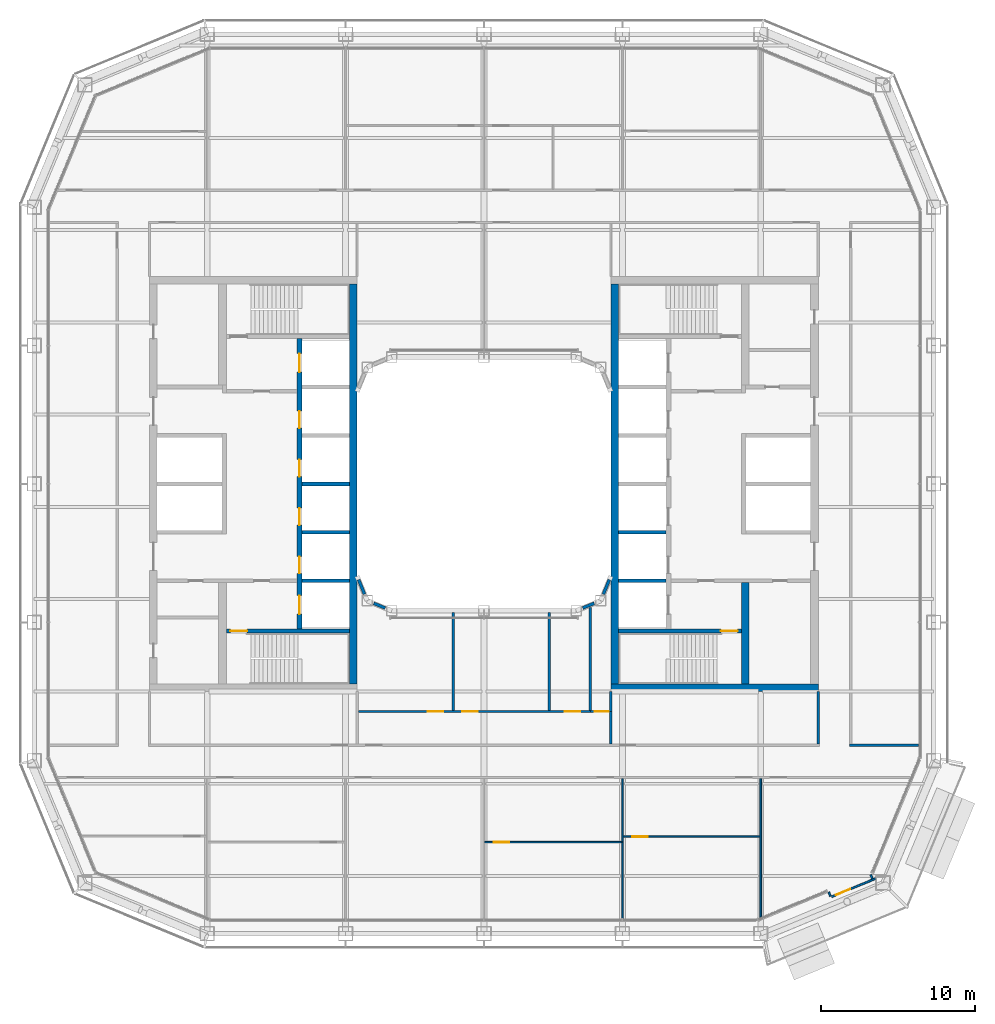
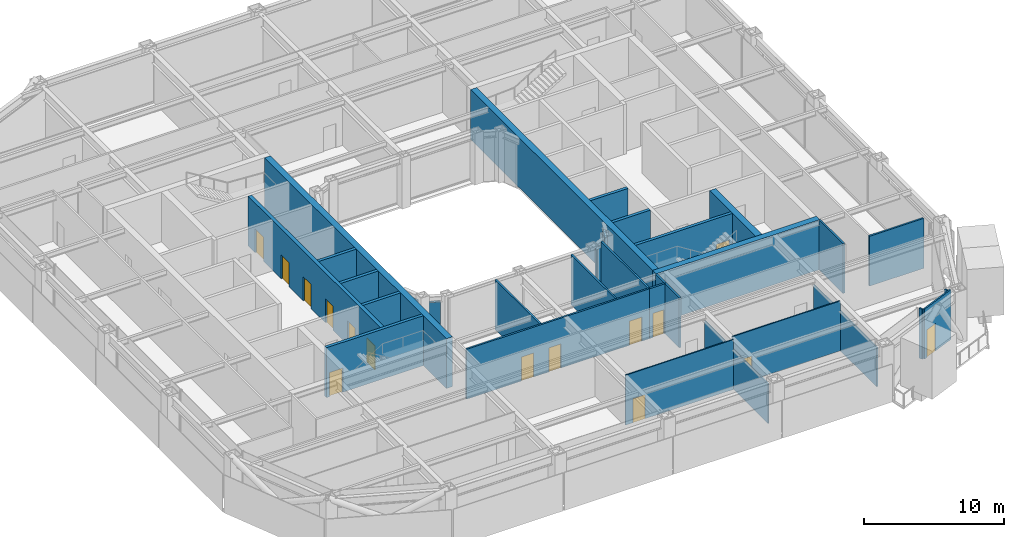
# One storey, part 12 of 23: 32 walls, 15 doors, 15 openings.
"""IFC4 building model written with IfcOpenShell, lengths in metres."""

from ifc_helpers import new_model, si_unit, direction, frame, frame_2d, origin, place, context, subcontext, project, spatial, rectangle, extrude, material, layer, layer_set, type_object, element, fill, save


model = new_model("IFC4")

# Units and contexts
model_context = context("Model", 3, precision=1e-05, world=origin(), true_north=direction((0.0, 1.0)))
body_context = subcontext(model_context, "Body", "Model", "MODEL_VIEW")
ifc_project = project(units=[si_unit("LENGTHUNIT", "METRE"), si_unit("AREAUNIT", "SQUARE_METRE"), si_unit("VOLUMEUNIT", "CUBIC_METRE"), si_unit("PLANEANGLEUNIT", "RADIAN"), si_unit("MASSUNIT", "GRAM", prefix="KILO")], contexts=[model_context])

# Site, building, storey
site_placement = place(None, origin())
site = spatial("IfcSite", under=ifc_project, at=site_placement, CompositionType="ELEMENT")
building_placement = place(site_placement, origin())
building = spatial("IfcBuilding", under=site, at=building_placement, Name="Siwar Civic Tower", CompositionType="ELEMENT")
storey_placement = place(building_placement, frame((0.0, 0.0, 109.199951171875)))
storey = spatial("IfcBuildingStorey", under=building, at=storey_placement, Name="L23", CompositionType="ELEMENT", Elevation=109.199951171875)

# Wall, opening, door
ifc_material_1 = material(Name="Gypsum board on steel studs", Category="steel")
ifc_layer_1 = layer(ifc_material_1, 0.14990234375)
ifc_layer_set_1 = layer_set([ifc_layer_1], Name="Gypsum board on steel studs")
wall_type_1 = type_object("IfcWallType", Name="COMPARTMENT PARTITION 150 EI 60", PredefinedType="PARTITIONING", material=ifc_layer_set_1)
wall_1_placement = place(storey_placement, frame((6.919921875, -14.800048828125, 0.0), z_axis=(0.0, 0.0, 1.0), x_axis=(1.0, 0.0, 0.0)))
wall_1 = element("IfcWall", 1, at=wall_1_placement, inside=storey, type_object=wall_type_1, Name="L23/wall/P10", PredefinedType="PARTITIONING", context=body_context, shape_type="SweptSolid", body=[
    extrude(rectangle(XDim=1.255126953125, YDim=0.14990234375, at=frame_2d((0.62744140625, 0.0))), origin(), (0.0, 0.0, 1.0), 4.35009765625),
])
opening_1_placement = place(wall_1_placement, frame((0.280029296875, 0.0, 0.0)))
opening_1 = element("IfcOpeningElement", 2, at=opening_1_placement, cuts=wall_1, Name="Opening D4", PredefinedType="OPENING", context=body_context, shape_type="SweptSolid", body=[
    extrude(rectangle(XDim=0.89990234375, YDim=2.10009765625, at=frame_2d((0.449951171875, 1.050048828125))), frame((0.0, 0.0849609375, 0.0), z_axis=(0.0, -1.0, 0.0), x_axis=(1.0, 0.0, 0.0)), (0.0, 0.0, 1.0), 0.169921875),
])
ifc_material_2 = material(Name="Timber, painted", Category="wood")
door_type_1 = type_object("IfcDoorType", Name="DOOR 900 X 2100 FD60", OperationType="SINGLE_SWING_LEFT", PredefinedType="DOOR", material=ifc_material_2)
door_1_placement = place(opening_1_placement, origin())
door_1 = element("IfcDoor", 3, at=door_1_placement, inside=storey, type_object=door_type_1, Name="L23-D28", OperationType="SINGLE_SWING_RIGHT", OverallHeight=2.10009765625, OverallWidth=0.89990234375, PredefinedType="DOOR", context=body_context, shape_type="SweptSolid", body=[
    extrude(rectangle(XDim=0.89990234375, YDim=2.10009765625, at=frame_2d((0.449951171875, 1.050048828125))), frame((0.0, 0.02490234375, 0.0), z_axis=(0.0, -1.0, 0.0), x_axis=(1.0, 0.0, 0.0)), (0.0, 0.0, 1.0), 0.050048828125),
])
fill(opening_1, door_1)

# Walls
wall_2_placement = place(storey_placement, frame((6.919921875, -14.72509765625, 0.0), z_axis=(0.0, 0.0, 1.0), x_axis=(0.0, 1.0, 0.0)))
element("IfcWall", 4, at=wall_2_placement, inside=storey, type_object=wall_type_1, Name="L23/wall/P34", PredefinedType="PARTITIONING", context=body_context, shape_type="SweptSolid", body=[
    extrude(rectangle(XDim=6.7001953125, YDim=0.14990234375, at=frame_2d((3.35009765625, 0.0))), origin(), (0.0, 0.0, 1.0), 4.35009765625),
])
wall_3_placement = place(storey_placement, frame((8.25, -14.800048828125, 0.0), z_axis=(0.0, 0.0, 1.0), x_axis=(0.0, 1.0, 0.0)))
element("IfcWall", 5, at=wall_3_placement, inside=storey, type_object=wall_type_1, Name="L23/wall/P37", PredefinedType="PARTITIONING", context=body_context, shape_type="SweptSolid", body=[
    extrude(rectangle(XDim=1.300048828125, YDim=0.14990234375, at=frame_2d((0.64990234375, 0.0))), origin(), (0.0, 0.0, 1.0), 4.35009765625),
])
ifc_material_3 = material(Name="Concrete C60/75", Category="concrete")
ifc_layer_2 = layer(ifc_material_3, 0.25)
ifc_layer_set_2 = layer_set([ifc_layer_2], Name="Concrete C60/75")
wall_type_2 = type_object("IfcWallType", Name="CORE-WALL-RC250", PredefinedType="SHEAR", material=ifc_layer_set_2)
for number, where, z_axis, x_axis, name in (
    (6, (-8.75, 0.0, 0.0), (0.0, 0.0, 1.0), (-1.0, 0.0, 0.0), "Core wall W"),
    (7, (-8.75, -3.14990234375, 0.0), (0.0, 0.0, 1.0), (-1.0, 0.0, 0.0), "Core wall W"),
    (8, (-8.75, -6.300048828125, 0.0), (0.0, 0.0, 1.0), (-1.0, 0.0, 0.0), "Core wall W"),
):
    element("IfcWall", number, at=place(storey_placement, frame(where, z_axis=z_axis, x_axis=x_axis)), inside=storey, type_object=wall_type_2, Name=name, PredefinedType="SHEAR", context=body_context, shape_type="SweptSolid", body=[
        extrude(rectangle(XDim=3.10009765625, YDim=0.25, at=frame_2d((1.550048828125, 0.0))), origin(), (0.0, 0.0, 1.0), 4.35009765625),
    ])

# Wall, opening, door
wall_4_placement = place(storey_placement, frame((-8.75, -9.574951171875, 0.0), z_axis=(0.0, 0.0, 1.0), x_axis=(-1.0, 0.0, 0.0)))
wall_4 = element("IfcWall", 9, at=wall_4_placement, inside=storey, type_object=wall_type_2, Name="Core wall W", PredefinedType="SHEAR", context=body_context, shape_type="SweptSolid", body=[
    extrude(rectangle(XDim=8.0, YDim=0.25, at=frame_2d((4.0, 0.0))), origin(), (0.0, 0.0, 1.0), 4.35009765625),
])
opening_2_placement = place(wall_4_placement, frame((6.64990234375, 0.0, 0.0)))
opening_2 = element("IfcOpeningElement", 10, at=opening_2_placement, cuts=wall_4, Name="Opening L23-CW04", PredefinedType="OPENING", context=body_context, shape_type="SweptSolid", body=[
    extrude(rectangle(XDim=1.10009765625, YDim=2.10009765625, at=frame_2d((0.550048828125, 1.050048828125))), frame((0.0, 0.135009765625, 0.0), z_axis=(0.0, -1.0, 0.0), x_axis=(1.0, 0.0, 0.0)), (0.0, 0.0, 1.0), 0.27001953125),
])
ifc_material_4 = material(Name="Steel door leaf", Category="steel")
door_type_2 = type_object("IfcDoorType", Name="CORE-DOOR-FD60S", OperationType="SINGLE_SWING_LEFT", PredefinedType="DOOR", material=ifc_material_4)
door_2_placement = place(opening_2_placement, origin())
door_2 = element("IfcDoor", 11, at=door_2_placement, inside=storey, type_object=door_type_2, Name="Stair door L23-CW04", OperationType="SINGLE_SWING_LEFT", OverallHeight=2.10009765625, OverallWidth=1.10009765625, PredefinedType="DOOR", context=body_context, shape_type="SweptSolid", body=[
    extrude(rectangle(XDim=1.10009765625, YDim=2.10009765625, at=frame_2d((0.550048828125, 1.050048828125))), frame((0.0, 0.02490234375, 0.0), z_axis=(0.0, -1.0, 0.0), x_axis=(1.0, 0.0, 0.0)), (0.0, 0.0, 1.0), 0.050048828125),
])
fill(opening_2, door_2)

# Walls
for number, where, z_axis, x_axis, name in (
    (12, (8.75, -3.14990234375, 0.0), (0.0, 0.0, 1.0), (1.0, 0.0, 0.0), "Core wall E"),
    (13, (8.75, -6.300048828125, 0.0), (0.0, 0.0, 1.0), (1.0, 0.0, 0.0), "Core wall E"),
):
    element("IfcWall", number, at=place(storey_placement, frame(where, z_axis=z_axis, x_axis=x_axis)), inside=storey, type_object=wall_type_2, Name=name, PredefinedType="SHEAR", context=body_context, shape_type="SweptSolid", body=[
        extrude(rectangle(XDim=3.10009765625, YDim=0.25, at=frame_2d((1.550048828125, 0.0))), origin(), (0.0, 0.0, 1.0), 4.35009765625),
    ])

# Wall, opening, door
wall_5_placement = place(storey_placement, frame((8.75, -9.574951171875, 0.0), z_axis=(0.0, 0.0, 1.0), x_axis=(1.0, 0.0, 0.0)))
wall_5 = element("IfcWall", 14, at=wall_5_placement, inside=storey, type_object=wall_type_2, Name="Core wall E", PredefinedType="SHEAR", context=body_context, shape_type="SweptSolid", body=[
    extrude(rectangle(XDim=8.0, YDim=0.25, at=frame_2d((4.0, 0.0))), origin(), (0.0, 0.0, 1.0), 4.35009765625),
])
opening_3_placement = place(wall_5_placement, frame((6.64990234375, 0.0, 0.0)))
opening_3 = element("IfcOpeningElement", 15, at=opening_3_placement, cuts=wall_5, Name="Opening L23-CE04", PredefinedType="OPENING", context=body_context, shape_type="SweptSolid", body=[
    extrude(rectangle(XDim=1.10009765625, YDim=2.10009765625, at=frame_2d((0.550048828125, 1.050048828125))), frame((0.0, 0.135009765625, 0.0), z_axis=(0.0, -1.0, 0.0), x_axis=(1.0, 0.0, 0.0)), (0.0, 0.0, 1.0), 0.27001953125),
])
door_3_placement = place(opening_3_placement, origin())
door_3 = element("IfcDoor", 16, at=door_3_placement, inside=storey, type_object=door_type_2, Name="Stair door L23-CE04", OperationType="SINGLE_SWING_RIGHT", OverallHeight=2.10009765625, OverallWidth=1.10009765625, PredefinedType="DOOR", context=body_context, shape_type="SweptSolid", body=[
    extrude(rectangle(XDim=1.10009765625, YDim=2.10009765625, at=frame_2d((0.550048828125, 1.050048828125))), frame((0.0, 0.02490234375, 0.0), z_axis=(0.0, -1.0, 0.0), x_axis=(1.0, 0.0, 0.0)), (0.0, 0.0, 1.0), 0.050048828125),
])
fill(opening_3, door_3)

# Wall, openings, doors
ifc_material_5 = material(Name="Concrete C60/75", Category="concrete")
ifc_layer_3 = layer(ifc_material_5, 0.300048828125)
ifc_layer_set_3 = layer_set([ifc_layer_3], Name="Concrete C60/75")
wall_type_3 = type_object("IfcWallType", Name="CORE-WALL-RC300", PredefinedType="SHEAR", material=ifc_layer_set_3)
wall_6_placement = place(storey_placement, frame((-12.0, -9.449951171875, 0.0), z_axis=(0.0, 0.0, 1.0), x_axis=(0.0, 1.0, 0.0)))
wall_6 = element("IfcWall", 17, at=wall_6_placement, inside=storey, type_object=wall_type_3, Name="Core wall W", PredefinedType="SHEAR", context=body_context, shape_type="SweptSolid", body=[
    extrude(rectangle(XDim=18.89990234375, YDim=0.300048828125, at=frame_2d((9.449951171875, 0.0))), origin(), (0.0, 0.0, 1.0), 4.35009765625),
])
opening_4_placement = place(wall_6_placement, frame((3.625, 0.0, 0.0)))
opening_4 = element("IfcOpeningElement", 18, at=opening_4_placement, cuts=wall_6, Name="Opening L23-CW07", PredefinedType="OPENING", context=body_context, shape_type="SweptSolid", body=[
    extrude(rectangle(XDim=1.10009765625, YDim=2.10009765625, at=frame_2d((0.550048828125, 1.050048828125))), frame((0.0, 0.16015625, 0.0), z_axis=(0.0, -1.0, 0.0), x_axis=(1.0, 0.0, 0.0)), (0.0, 0.0, 1.0), 0.320068359375),
])
opening_5_placement = place(wall_6_placement, frame((6.77490234375, 0.0, 0.0)))
opening_5 = element("IfcOpeningElement", 19, at=opening_5_placement, cuts=wall_6, Name="Opening L23-CW08", PredefinedType="OPENING", context=body_context, shape_type="SweptSolid", body=[
    extrude(rectangle(XDim=1.10009765625, YDim=2.10009765625, at=frame_2d((0.550048828125, 1.050048828125))), frame((0.0, 0.16015625, 0.0), z_axis=(0.0, -1.0, 0.0), x_axis=(1.0, 0.0, 0.0)), (0.0, 0.0, 1.0), 0.320068359375),
])
opening_6_placement = place(wall_6_placement, frame((9.925048828125, 0.0, 0.0)))
opening_6 = element("IfcOpeningElement", 20, at=opening_6_placement, cuts=wall_6, Name="Opening L23-CW09", PredefinedType="OPENING", context=body_context, shape_type="SweptSolid", body=[
    extrude(rectangle(XDim=1.10009765625, YDim=2.10009765625, at=frame_2d((0.550048828125, 1.050048828125))), frame((0.0, 0.16015625, 0.0), z_axis=(0.0, -1.0, 0.0), x_axis=(1.0, 0.0, 0.0)), (0.0, 0.0, 1.0), 0.320068359375),
])
opening_7_placement = place(wall_6_placement, frame((13.074951171875, 0.0, 0.0)))
opening_7 = element("IfcOpeningElement", 21, at=opening_7_placement, cuts=wall_6, Name="Opening L23-CW10", PredefinedType="OPENING", context=body_context, shape_type="SweptSolid", body=[
    extrude(rectangle(XDim=1.10009765625, YDim=2.10009765625, at=frame_2d((0.550048828125, 1.050048828125))), frame((0.0, 0.16015625, 0.0), z_axis=(0.0, -1.0, 0.0), x_axis=(1.0, 0.0, 0.0)), (0.0, 0.0, 1.0), 0.320068359375),
])
opening_8_placement = place(wall_6_placement, frame((16.72509765625, 0.0, 0.0)))
opening_8 = element("IfcOpeningElement", 22, at=opening_8_placement, cuts=wall_6, Name="Opening L23-CW11", PredefinedType="OPENING", context=body_context, shape_type="SweptSolid", body=[
    extrude(rectangle(XDim=1.199951171875, YDim=2.10009765625, at=frame_2d((0.60009765625, 1.050048828125))), frame((0.0, 0.16015625, 0.0), z_axis=(0.0, -1.0, 0.0), x_axis=(1.0, 0.0, 0.0)), (0.0, 0.0, 1.0), 0.320068359375),
])
opening_9_placement = place(wall_6_placement, frame((0.97509765625, 0.0, 0.0)))
opening_9 = element("IfcOpeningElement", 23, at=opening_9_placement, cuts=wall_6, Name="Opening L23-CW12", PredefinedType="OPENING", context=body_context, shape_type="SweptSolid", body=[
    extrude(rectangle(XDim=1.199951171875, YDim=2.10009765625, at=frame_2d((0.60009765625, 1.050048828125))), frame((0.0, 0.16015625, 0.0), z_axis=(0.0, -1.0, 0.0), x_axis=(1.0, 0.0, 0.0)), (0.0, 0.0, 1.0), 0.320068359375),
])
ifc_material_6 = material(Name="Steel door leaf", Category="steel")
door_type_3 = type_object("IfcDoorType", Name="CORE-DOOR-LD", OperationType="DOUBLE_DOOR_SLIDING", PredefinedType="DOOR", material=ifc_material_6)
door_4_placement = place(opening_4_placement, origin())
door_4 = element("IfcDoor", 24, at=door_4_placement, inside=storey, type_object=door_type_3, Name="Landing door LR1 L23-CW07", OperationType="DOUBLE_DOOR_SLIDING", OverallHeight=2.10009765625, OverallWidth=1.10009765625, PredefinedType="DOOR", context=body_context, shape_type="SweptSolid", body=[
    extrude(rectangle(XDim=1.10009765625, YDim=2.10009765625, at=frame_2d((0.550048828125, 1.050048828125))), frame((0.0, 0.02490234375, 0.0), z_axis=(0.0, -1.0, 0.0), x_axis=(1.0, 0.0, 0.0)), (0.0, 0.0, 1.0), 0.050048828125),
])
fill(opening_4, door_4)
door_5_placement = place(opening_5_placement, origin())
door_5 = element("IfcDoor", 25, at=door_5_placement, inside=storey, type_object=door_type_3, Name="Landing door LR2 L23-CW08", OperationType="DOUBLE_DOOR_SLIDING", OverallHeight=2.10009765625, OverallWidth=1.10009765625, PredefinedType="DOOR", context=body_context, shape_type="SweptSolid", body=[
    extrude(rectangle(XDim=1.10009765625, YDim=2.10009765625, at=frame_2d((0.550048828125, 1.050048828125))), frame((0.0, 0.02490234375, 0.0), z_axis=(0.0, -1.0, 0.0), x_axis=(1.0, 0.0, 0.0)), (0.0, 0.0, 1.0), 0.050048828125),
])
fill(opening_5, door_5)
door_6_placement = place(opening_6_placement, origin())
door_6 = element("IfcDoor", 26, at=door_6_placement, inside=storey, type_object=door_type_3, Name="Landing door LR3 L23-CW09", OperationType="DOUBLE_DOOR_SLIDING", OverallHeight=2.10009765625, OverallWidth=1.10009765625, PredefinedType="DOOR", context=body_context, shape_type="SweptSolid", body=[
    extrude(rectangle(XDim=1.10009765625, YDim=2.10009765625, at=frame_2d((0.550048828125, 1.050048828125))), frame((0.0, 0.02490234375, 0.0), z_axis=(0.0, -1.0, 0.0), x_axis=(1.0, 0.0, 0.0)), (0.0, 0.0, 1.0), 0.050048828125),
])
fill(opening_6, door_6)
door_7_placement = place(opening_7_placement, origin())
door_7 = element("IfcDoor", 27, at=door_7_placement, inside=storey, type_object=door_type_3, Name="Landing door LR4 L23-CW10", OperationType="DOUBLE_DOOR_SLIDING", OverallHeight=2.10009765625, OverallWidth=1.10009765625, PredefinedType="DOOR", context=body_context, shape_type="SweptSolid", body=[
    extrude(rectangle(XDim=1.10009765625, YDim=2.10009765625, at=frame_2d((0.550048828125, 1.050048828125))), frame((0.0, 0.02490234375, 0.0), z_axis=(0.0, -1.0, 0.0), x_axis=(1.0, 0.0, 0.0)), (0.0, 0.0, 1.0), 0.050048828125),
])
fill(opening_7, door_7)
ifc_material_7 = material(Name="Steel door leaf", Category="steel")
door_type_4 = type_object("IfcDoorType", Name="CORE-DOOR-LDW", OperationType="DOUBLE_DOOR_SLIDING", PredefinedType="DOOR", material=ifc_material_7)
door_8_placement = place(opening_8_placement, origin())
door_8 = element("IfcDoor", 28, at=door_8_placement, inside=storey, type_object=door_type_4, Name="Landing door FF1 L23-CW11", OperationType="DOUBLE_DOOR_SLIDING", OverallHeight=2.10009765625, OverallWidth=1.199951171875, PredefinedType="DOOR", context=body_context, shape_type="SweptSolid", body=[
    extrude(rectangle(XDim=1.199951171875, YDim=2.10009765625, at=frame_2d((0.60009765625, 1.050048828125))), frame((0.0, 0.02490234375, 0.0), z_axis=(0.0, -1.0, 0.0), x_axis=(1.0, 0.0, 0.0)), (0.0, 0.0, 1.0), 0.050048828125),
])
fill(opening_8, door_8)
door_9_placement = place(opening_9_placement, origin())
door_9 = element("IfcDoor", 29, at=door_9_placement, inside=storey, type_object=door_type_4, Name="Landing door SV1 L23-CW12", OperationType="DOUBLE_DOOR_SLIDING", OverallHeight=2.10009765625, OverallWidth=1.199951171875, PredefinedType="DOOR", context=body_context, shape_type="SweptSolid", body=[
    extrude(rectangle(XDim=1.199951171875, YDim=2.10009765625, at=frame_2d((0.60009765625, 1.050048828125))), frame((0.0, 0.02490234375, 0.0), z_axis=(0.0, -1.0, 0.0), x_axis=(1.0, 0.0, 0.0)), (0.0, 0.0, 1.0), 0.050048828125),
])
fill(opening_9, door_9)

# Walls
ifc_material_8 = material(Name="Concrete C60/75", Category="concrete")
ifc_layer_4 = layer(ifc_material_8, 0.5)
ifc_layer_set_4 = layer_set([ifc_layer_4], Name="Concrete C60/75")
wall_type_4 = type_object("IfcWallType", Name="CORE-WALL-RC500", PredefinedType="SHEAR", material=ifc_layer_set_4)
wall_7_placement = place(storey_placement, frame((17.0, -13.0, 0.0), z_axis=(0.0, 0.0, 1.0), x_axis=(0.0, 1.0, 0.0)))
element("IfcWall", 30, at=wall_7_placement, inside=storey, type_object=wall_type_4, Name="Core wall E", PredefinedType="SHEAR", context=body_context, shape_type="SweptSolid", body=[
    extrude(rectangle(XDim=6.574951171875, YDim=0.5, at=frame_2d((3.28759765625, 0.0))), origin(), (0.0, 0.0, 1.0), 4.35009765625),
])
wall_8_placement = place(storey_placement, frame((8.25, -13.25, 0.0), z_axis=(0.0, 0.0, 1.0), x_axis=(1.0, 0.0, 0.0)))
element("IfcWall", 31, at=wall_8_placement, inside=storey, type_object=wall_type_4, Name="Core wall E", PredefinedType="SHEAR", context=body_context, shape_type="SweptSolid", body=[
    extrude(rectangle(XDim=13.5, YDim=0.5, at=frame_2d((6.75, 0.0))), origin(), (0.0, 0.0, 1.0), 4.35009765625),
])
ifc_material_9 = material(Name="Concrete C60/75", Category="concrete")
ifc_layer_5 = layer(ifc_material_9, 0.5)
ifc_layer_set_5 = layer_set([ifc_layer_5], Name="Concrete C60/75")
wall_type_5 = type_object("IfcWallType", Name="CORE-WALL-RC500-EXT", PredefinedType="SHEAR", material=ifc_layer_set_5)
for number, where, z_axis, x_axis, name in (
    (32, (-8.5, -13.0, 0.0), (0.0, 0.0, 1.0), (0.0, 1.0, 0.0), "Core wall W"),
    (33, (8.5, -13.0, 0.0), (0.0, 0.0, 1.0), (0.0, 1.0, 0.0), "Core wall E"),
):
    element("IfcWall", number, at=place(storey_placement, frame(where, z_axis=z_axis, x_axis=x_axis)), inside=storey, type_object=wall_type_5, Name=name, PredefinedType="SHEAR", context=body_context, shape_type="SweptSolid", body=[
        extrude(rectangle(XDim=26.0, YDim=0.5, at=frame_2d((13.0, 0.0))), origin(), (0.0, 0.0, 1.0), 4.35009765625),
    ])
ifc_material_10 = material(Name="Gypsum board on steel studs", Category="steel")
ifc_layer_6 = layer(ifc_material_10, 0.14990234375)
ifc_layer_set_6 = layer_set([ifc_layer_6], Name="Gypsum board on steel studs")
wall_type_6 = type_object("IfcWallType", Name="CORRIDOR PARTITION 150 EI 30", PredefinedType="PARTITIONING", material=ifc_layer_set_6)
wall_9_placement = place(storey_placement, frame((23.77490234375, -17.0, 0.0), z_axis=(0.0, 0.0, 1.0), x_axis=(1.0, 0.0, 0.0)))
element("IfcWall", 34, at=wall_9_placement, inside=storey, type_object=wall_type_6, Name="L23/wall/P08", PredefinedType="PARTITIONING", context=body_context, shape_type="SweptSolid", body=[
    extrude(rectangle(XDim=4.485107421875, YDim=0.14990234375, at=frame_2d((2.24267578125, 0.0))), origin(), (0.0, 0.0, 1.0), 4.35009765625),
])

# Wall, openings, doors
wall_10_placement = place(storey_placement, frame((-8.175048828125, -14.800048828125, 0.0), z_axis=(0.0, 0.0, 1.0), x_axis=(1.0, 0.0, 0.0)))
wall_10 = element("IfcWall", 35, at=wall_10_placement, inside=storey, type_object=wall_type_6, Name="L23/wall/P09", PredefinedType="PARTITIONING", context=body_context, shape_type="SweptSolid", body=[
    extrude(rectangle(XDim=15.094970703125, YDim=0.14990234375, at=frame_2d((7.54736328125, 0.0))), origin(), (0.0, 0.0, 1.0), 4.35009765625),
])
opening_10_placement = place(wall_10_placement, frame((4.52490234375, 0.0, 0.0)))
opening_10 = element("IfcOpeningElement", 36, at=opening_10_placement, cuts=wall_10, Name="Opening D3", PredefinedType="OPENING", context=body_context, shape_type="SweptSolid", body=[
    extrude(rectangle(XDim=1.0, YDim=2.10009765625, at=frame_2d((0.5, 1.050048828125))), frame((0.0, 0.0849609375, 0.0), z_axis=(0.0, -1.0, 0.0), x_axis=(1.0, 0.0, 0.0)), (0.0, 0.0, 1.0), 0.169921875),
])
opening_11_placement = place(wall_10_placement, frame((6.77490234375, 0.0, 0.0)))
opening_11 = element("IfcOpeningElement", 37, at=opening_11_placement, cuts=wall_10, Name="Opening D3", PredefinedType="OPENING", context=body_context, shape_type="SweptSolid", body=[
    extrude(rectangle(XDim=1.0, YDim=2.10009765625, at=frame_2d((0.5, 1.050048828125))), frame((0.0, 0.0849609375, 0.0), z_axis=(0.0, -1.0, 0.0), x_axis=(1.0, 0.0, 0.0)), (0.0, 0.0, 1.0), 0.169921875),
])
opening_12_placement = place(wall_10_placement, frame((13.445068359375, 0.0, 0.0)))
opening_12 = element("IfcOpeningElement", 38, at=opening_12_placement, cuts=wall_10, Name="Opening D3", PredefinedType="OPENING", context=body_context, shape_type="SweptSolid", body=[
    extrude(rectangle(XDim=1.0, YDim=2.10009765625, at=frame_2d((0.5, 1.050048828125))), frame((0.0, 0.0849609375, 0.0), z_axis=(0.0, -1.0, 0.0), x_axis=(1.0, 0.0, 0.0)), (0.0, 0.0, 1.0), 0.169921875),
])
ifc_material_11 = material(Name="Timber, painted", Category="wood")
door_type_5 = type_object("IfcDoorType", Name="DOOR 1000 X 2100 WC", OperationType="SINGLE_SWING_LEFT", PredefinedType="DOOR", material=ifc_material_11)
door_10_placement = place(opening_10_placement, origin())
door_10 = element("IfcDoor", 39, at=door_10_placement, inside=storey, type_object=door_type_5, Name="L23-D25", OperationType="SINGLE_SWING_LEFT", OverallHeight=2.10009765625, OverallWidth=1.0, PredefinedType="DOOR", context=body_context, shape_type="SweptSolid", body=[
    extrude(rectangle(XDim=1.0, YDim=2.10009765625, at=frame_2d((0.5, 1.050048828125))), frame((0.0, 0.02490234375, 0.0), z_axis=(0.0, -1.0, 0.0), x_axis=(1.0, 0.0, 0.0)), (0.0, 0.0, 1.0), 0.050048828125),
])
fill(opening_10, door_10)
door_11_placement = place(opening_11_placement, origin())
door_11 = element("IfcDoor", 40, at=door_11_placement, inside=storey, type_object=door_type_5, Name="L23-D26", OperationType="SINGLE_SWING_RIGHT", OverallHeight=2.10009765625, OverallWidth=1.0, PredefinedType="DOOR", context=body_context, shape_type="SweptSolid", body=[
    extrude(rectangle(XDim=1.0, YDim=2.10009765625, at=frame_2d((0.5, 1.050048828125))), frame((0.0, 0.02490234375, 0.0), z_axis=(0.0, -1.0, 0.0), x_axis=(1.0, 0.0, 0.0)), (0.0, 0.0, 1.0), 0.050048828125),
])
fill(opening_11, door_11)
door_12_placement = place(opening_12_placement, origin())
door_12 = element("IfcDoor", 41, at=door_12_placement, inside=storey, type_object=door_type_5, Name="L23-D27", OperationType="SINGLE_SWING_LEFT", OverallHeight=2.10009765625, OverallWidth=1.0, PredefinedType="DOOR", context=body_context, shape_type="SweptSolid", body=[
    extrude(rectangle(XDim=1.0, YDim=2.10009765625, at=frame_2d((0.5, 1.050048828125))), frame((0.0, 0.02490234375, 0.0), z_axis=(0.0, -1.0, 0.0), x_axis=(1.0, 0.0, 0.0)), (0.0, 0.0, 1.0), 0.050048828125),
])
fill(opening_12, door_12)

# Walls
for number, where, z_axis, x_axis, name in (
    (42, (-2.0, -14.72509765625, 0.0), (0.0, 0.0, 1.0), (0.0, 1.0, 0.0), "L23/wall/P27"),
    (43, (4.25, -14.72509765625, 0.0), (0.0, 0.0, 1.0), (0.0, 1.0, 0.0), "L23/wall/P32"),
):
    element("IfcWall", number, at=place(storey_placement, frame(where, z_axis=z_axis, x_axis=x_axis)), inside=storey, type_object=wall_type_6, Name=name, PredefinedType="PARTITIONING", context=body_context, shape_type="SweptSolid", body=[
        extrude(rectangle(XDim=6.35498046875, YDim=0.14990234375, at=frame_2d((3.177490234375, 0.0))), origin(), (0.0, 0.0, 1.0), 4.35009765625),
    ])
wall_11_placement = place(storey_placement, frame((8.25, -16.925048828125, 0.0), z_axis=(0.0, 0.0, 1.0), x_axis=(0.0, 1.0, 0.0)))
element("IfcWall", 44, at=wall_11_placement, inside=storey, type_object=wall_type_6, Name="L23/wall/P36", PredefinedType="PARTITIONING", context=body_context, shape_type="SweptSolid", body=[
    extrude(rectangle(XDim=2.125, YDim=0.14990234375, at=frame_2d((1.0625, 0.0))), origin(), (0.0, 0.0, 1.0), 4.35009765625),
])
wall_12_placement = place(storey_placement, frame((21.75, -16.925048828125, 0.0), z_axis=(0.0, 0.0, 1.0), x_axis=(0.0, 1.0, 0.0)))
element("IfcWall", 45, at=wall_12_placement, inside=storey, type_object=wall_type_6, Name="L23/wall/P42", PredefinedType="PARTITIONING", context=body_context, shape_type="SweptSolid", body=[
    extrude(rectangle(XDim=3.425048828125, YDim=0.14990234375, at=frame_2d((1.71240234375, 0.0))), origin(), (0.0, 0.0, 1.0), 4.35009765625),
])
ifc_material_12 = material(Name="Aluminium clad insulated panel", Category="aluminium")
ifc_layer_7 = layer(ifc_material_12, 0.1201171875)
ifc_layer_set_7 = layer_set([ifc_layer_7], Name="Aluminium clad insulated panel")
wall_type_7 = type_object("IfcWallType", Name="ENV-WALL-BAL", PredefinedType="STANDARD", material=ifc_layer_set_7)
for number, where, z_axis, x_axis, name in (
    (46, (22.42529296875, -26.551025390625, 0.0), (0.0, 0.0, 1.0), (0.382103986862, -0.924119333865, 0.0), "Balcony door wall return SE1"),
    (47, (25.153076171875, -25.421142578125, 0.0), (0.0, 0.0, 1.0), (0.383120166156, -0.923698510492, 0.0), "Balcony door wall return SE1"),
):
    element("IfcWall", number, at=place(storey_placement, frame(where, z_axis=z_axis, x_axis=x_axis)), inside=storey, type_object=wall_type_7, Name=name, PredefinedType="STANDARD", context=body_context, shape_type="SweptSolid", body=[
        extrude(rectangle(XDim=0.2900390625, YDim=0.1201171875, at=frame_2d((0.14501953125, 0.0))), origin(), (0.0, 0.0, 1.0), 4.35009765625),
    ])

# Wall, opening, door
wall_13_placement = place(storey_placement, frame((22.614501953125, -26.8515625, 0.0), z_axis=(0.0, 0.0, 1.0), x_axis=(0.923869084389, 0.382708655389, 0.0)))
wall_13 = element("IfcWall", 48, at=wall_13_placement, inside=storey, type_object=wall_type_7, Name="Balcony door wall SE1", PredefinedType="STANDARD", context=body_context, shape_type="SweptSolid", body=[
    extrude(rectangle(XDim=3.1015625, YDim=0.1201171875, at=frame_2d((1.55078125, 0.0))), origin(), (0.0, 0.0, 1.0), 4.35009765625),
])
opening_13_placement = place(wall_13_placement, frame((0.300048828125, 0.0, 0.0)))
opening_13 = element("IfcOpeningElement", 49, at=opening_13_placement, cuts=wall_13, Name="Opening D-BAL", PredefinedType="OPENING", context=body_context, shape_type="SweptSolid", body=[
    extrude(rectangle(XDim=1.0, YDim=2.39990234375, at=frame_2d((0.5, 1.199951171875))), frame((0.0, 0.070068359375, 0.0), z_axis=(0.0, -1.0, 0.0), x_axis=(1.0, 0.0, 0.0)), (0.0, 0.0, 1.0), 0.14013671875),
])
ifc_material_13 = material(Name="Aluminium and glass", Category="aluminium")
door_type_6 = type_object("IfcDoorType", Name="ENV-DOOR-BAL", OperationType="SINGLE_SWING_LEFT", PredefinedType="DOOR", material=ifc_material_13)
door_13_placement = place(opening_13_placement, origin())
door_13 = element("IfcDoor", 50, at=door_13_placement, inside=storey, type_object=door_type_6, Name="Balcony door SE", OperationType="SINGLE_SWING_LEFT", OverallHeight=2.39990234375, OverallWidth=1.0, PredefinedType="DOOR", context=body_context, shape_type="SweptSolid", body=[
    extrude(rectangle(XDim=1.0, YDim=2.39990234375, at=frame_2d((0.5, 1.199951171875))), frame((0.0, 0.02490234375, 0.0), z_axis=(0.0, -1.0, 0.0), x_axis=(1.0, 0.0, 0.0)), (0.0, 0.0, 1.0), 0.050048828125),
])
fill(opening_13, door_13)

# Walls
ifc_material_14 = material(Name="Aluminium clad insulated panel", Category="aluminium")
ifc_layer_8 = layer(ifc_material_14, 0.199951171875)
ifc_layer_set_8 = layer_set([ifc_layer_8], Name="Aluminium clad insulated panel")
wall_type_8 = type_object("IfcWallType", Name="ENV-WALL-WELL", PredefinedType="STANDARD", material=ifc_layer_set_8)
wall_14_placement = place(storey_placement, frame((6.422607421875, -8.074951171875, 0.0), z_axis=(0.0, 0.0, 1.0), x_axis=(0.923817771127, 0.382832503518, 0.0)))
element("IfcWall", 51, at=wall_14_placement, inside=storey, type_object=wall_type_8, Name="Light well corner wall SE1", PredefinedType="STANDARD", context=body_context, shape_type="SweptSolid", body=[
    extrude(rectangle(XDim=0.807373046875, YDim=0.199951171875, at=frame_2d((0.40380859375, 0.0))), origin(), (0.0, 0.0, 1.0), 3.825927734375),
])
for number, where, z_axis, x_axis, name in (
    (52, (7.765869140625, -7.16845703125, 0.0), (0.0, 0.0, 1.0), (0.382769662028, 0.923843810301, 0.0), "Light well corner wall SE2"),
    (53, (-8.154296875, -6.23095703125, 0.0), (0.0, 0.0, 1.0), (0.382769662028, -0.923843810301, 0.0), "Light well corner wall SW1"),
):
    element("IfcWall", number, at=place(storey_placement, frame(where, z_axis=z_axis, x_axis=x_axis)), inside=storey, type_object=wall_type_8, Name=name, PredefinedType="STANDARD", context=body_context, shape_type="SweptSolid", body=[
        extrude(rectangle(XDim=1.014892578125, YDim=0.199951171875, at=frame_2d((0.50732421875, 0.0))), origin(), (0.0, 0.0, 1.0), 3.825927734375),
    ])
wall_15_placement = place(storey_placement, frame((-7.16845703125, -7.765869140625, 0.0), z_axis=(0.0, 0.0, 1.0), x_axis=(0.923817771127, -0.382832503518, 0.0)))
element("IfcWall", 54, at=wall_15_placement, inside=storey, type_object=wall_type_8, Name="Light well corner wall SW2", PredefinedType="STANDARD", context=body_context, shape_type="SweptSolid", body=[
    extrude(rectangle(XDim=0.807373046875, YDim=0.199951171875, at=frame_2d((0.40380859375, 0.0))), origin(), (0.0, 0.0, 1.0), 3.825927734375),
])

# Wall, opening, door
ifc_material_15 = material(Name="Gypsum board on steel studs", Category="steel")
ifc_layer_9 = layer(ifc_material_15, 0.10009765625)
ifc_layer_set_9 = layer_set([ifc_layer_9], Name="Gypsum board on steel studs")
wall_type_9 = type_object("IfcWallType", Name="PARTITION 100 GYPSUM", PredefinedType="PARTITIONING", material=ifc_layer_set_9)
wall_16_placement = place(storey_placement, frame((0.050048828125, -23.300048828125, 0.0), z_axis=(0.0, 0.0, 1.0), x_axis=(1.0, 0.0, 0.0)))
wall_16 = element("IfcWall", 55, at=wall_16_placement, inside=storey, type_object=wall_type_9, Name="L23/wall/P02", PredefinedType="PARTITIONING", context=body_context, shape_type="SweptSolid", body=[
    extrude(rectangle(XDim=8.89990234375, YDim=0.10009765625, at=frame_2d((4.449951171875, 0.0))), origin(), (0.0, 0.0, 1.0), 4.35009765625),
])
opening_14_placement = place(wall_16_placement, frame((0.60009765625, 0.0, 0.0)))
opening_14 = element("IfcOpeningElement", 56, at=opening_14_placement, cuts=wall_16, Name="Opening D2", PredefinedType="OPENING", context=body_context, shape_type="SweptSolid", body=[
    extrude(rectangle(XDim=1.0, YDim=2.10009765625, at=frame_2d((0.5, 1.050048828125))), frame((0.0, 0.06005859375, 0.0), z_axis=(0.0, -1.0, 0.0), x_axis=(1.0, 0.0, 0.0)), (0.0, 0.0, 1.0), 0.1201171875),
])
ifc_material_16 = material(Name="Timber, painted", Category="wood")
door_type_7 = type_object("IfcDoorType", Name="DOOR 1000 X 2100", OperationType="SINGLE_SWING_LEFT", PredefinedType="DOOR", material=ifc_material_16)
door_14_placement = place(opening_14_placement, origin())
door_14 = element("IfcDoor", 57, at=door_14_placement, inside=storey, type_object=door_type_7, Name="L23-D13", OperationType="SINGLE_SWING_LEFT", OverallHeight=2.10009765625, OverallWidth=1.0, PredefinedType="DOOR", context=body_context, shape_type="SweptSolid", body=[
    extrude(rectangle(XDim=1.0, YDim=2.10009765625, at=frame_2d((0.5, 1.050048828125))), frame((0.0, 0.02490234375, 0.0), z_axis=(0.0, -1.0, 0.0), x_axis=(1.0, 0.0, 0.0)), (0.0, 0.0, 1.0), 0.050048828125),
])
fill(opening_14, door_14)

wall_17_placement = place(storey_placement, frame((9.050048828125, -22.947021484375, 0.0), z_axis=(0.0, 0.0, 1.0), x_axis=(1.0, 0.0, 0.0)))
wall_17 = element("IfcWall", 58, at=wall_17_placement, inside=storey, type_object=wall_type_9, Name="L23/wall/P03", PredefinedType="PARTITIONING", context=body_context, shape_type="SweptSolid", body=[
    extrude(rectangle(XDim=8.89990234375, YDim=0.10009765625, at=frame_2d((4.449951171875, 0.0))), origin(), (0.0, 0.0, 1.0), 4.35009765625),
])
opening_15_placement = place(wall_17_placement, frame((0.60009765625, 0.0, 0.0)))
opening_15 = element("IfcOpeningElement", 59, at=opening_15_placement, cuts=wall_17, Name="Opening D2", PredefinedType="OPENING", context=body_context, shape_type="SweptSolid", body=[
    extrude(rectangle(XDim=1.0, YDim=2.10009765625, at=frame_2d((0.5, 1.050048828125))), frame((0.0, 0.06005859375, 0.0), z_axis=(0.0, -1.0, 0.0), x_axis=(1.0, 0.0, 0.0)), (0.0, 0.0, 1.0), 0.1201171875),
])
door_15_placement = place(opening_15_placement, origin())
door_15 = element("IfcDoor", 60, at=door_15_placement, inside=storey, type_object=door_type_7, Name="L23-D15", OperationType="SINGLE_SWING_LEFT", OverallHeight=2.10009765625, OverallWidth=1.0, PredefinedType="DOOR", context=body_context, shape_type="SweptSolid", body=[
    extrude(rectangle(XDim=1.0, YDim=2.10009765625, at=frame_2d((0.5, 1.050048828125))), frame((0.0, 0.02490234375, 0.0), z_axis=(0.0, -1.0, 0.0), x_axis=(1.0, 0.0, 0.0)), (0.0, 0.0, 1.0), 0.050048828125),
])
fill(opening_15, door_15)

# Walls
wall_18_placement = place(storey_placement, frame((9.0, -28.260009765625, 0.0), z_axis=(0.0, 0.0, 1.0), x_axis=(0.0, 1.0, 0.0)))
element("IfcWall", 61, at=wall_18_placement, inside=storey, type_object=wall_type_9, Name="L23/wall/P38", PredefinedType="PARTITIONING", context=body_context, shape_type="SweptSolid", body=[
    extrude(rectangle(XDim=9.0849609375, YDim=0.10009765625, at=frame_2d((4.54248046875, 0.0))), origin(), (0.0, 0.0, 1.0), 3.449951171875),
])
wall_19_placement = place(storey_placement, frame((18.0, -28.177978515625, 0.0), z_axis=(0.0, 0.0, 1.0), x_axis=(0.0, 1.0, 0.0)))
element("IfcWall", 62, at=wall_19_placement, inside=storey, type_object=wall_type_9, Name="L23/wall/P40", PredefinedType="PARTITIONING", context=body_context, shape_type="SweptSolid", body=[
    extrude(rectangle(XDim=9.0029296875, YDim=0.10009765625, at=frame_2d((4.50146484375, 0.0))), origin(), (0.0, 0.0, 1.0), 3.449951171875),
])

save(model, "model.ifc")
